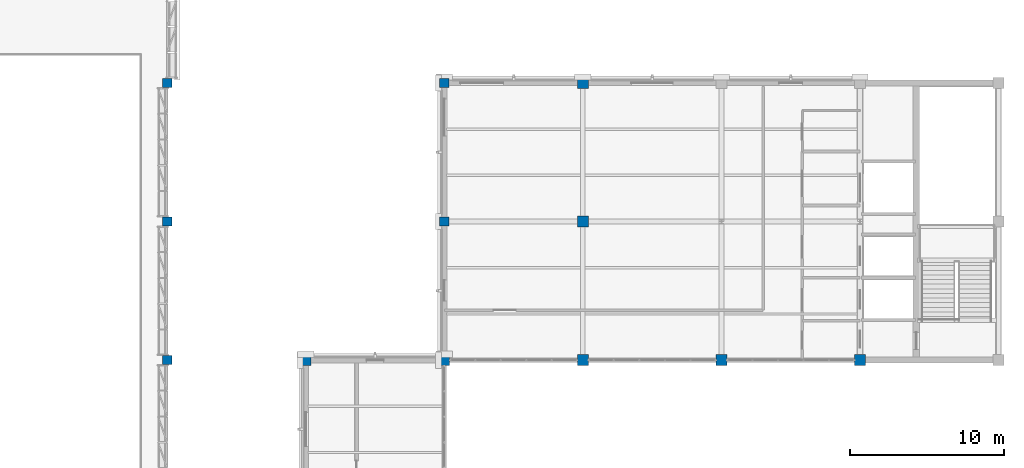
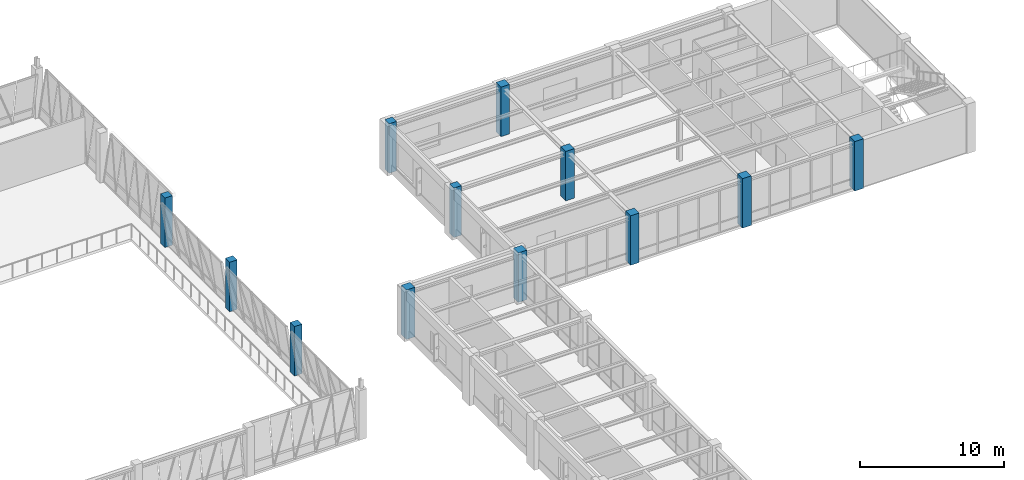
# One storey, part 10 of 108: 12 columns.
"""IFC4 building model written with IfcOpenShell, lengths in metres."""

import ifcopenshell
import ifcopenshell.guid

model = None  # the IFC model being written
_history = None  # IfcOwnerHistory: only IFC2X3 demands one
_inside = {}  # id of a spatial element -> (the spatial element, [elements in it])
_under = {}  # id of a project, library or spatial element -> (it, [spatial elements below it])
_declared = {}  # id of a project -> (the project, [libraries it declares])
_typed = {}  # id of a type object -> (the type object, [elements of that type])
_made_of = {}  # id of a material, layer set ... -> (it, [elements and type objects made of it])


def new_model(schema):
    """Start an empty IFC model of exactly this schema.

    Asked for "IFC4X3", IfcOpenShell would pick the latest addendum, in which some entities
    have other attributes; the version numbers below select the first issue.
    IFC2X3 requires an IfcOwnerHistory on every rooted entity: one is made here for all.
    """
    global model, _history
    if schema == "IFC4X3":
        model = ifcopenshell.file(schema_version=(4, 3, 0, 0))
    else:
        model = ifcopenshell.file(schema=schema)
    _inside.clear()
    _under.clear()
    _declared.clear()
    _typed.clear()
    _made_of.clear()
    _history = None
    if model.schema == "IFC2X3":
        org = make("IfcOrganization", Name="unknown")
        user = make(
            "IfcPersonAndOrganization",
            ThePerson=make("IfcPerson", FamilyName="unknown"),
            TheOrganization=org,
        )
        app = make(
            "IfcApplication",
            ApplicationDeveloper=org,
            Version="unknown",
            ApplicationFullName="unknown",
            ApplicationIdentifier="unknown",
        )
        _history = make(
            "IfcOwnerHistory",
            OwningUser=user,
            OwningApplication=app,
            ChangeAction="ADDED",
            CreationDate=0,
        )
    return model


def make(cls, **values):
    """One entity of the class cls with the attributes given. An attribute that is None is left unset."""
    return model.create_entity(
        cls, **{name: value for name, value in values.items() if value is not None}
    )


def rooted(cls, **values):
    """An entity with a GlobalId (a new one), such as an element, a storey or a relation."""
    return make(cls, GlobalId=ifcopenshell.guid.new(), OwnerHistory=_history, **values)


def si_unit(unit_type, name, prefix=None):
    """IfcSIUnit, for example si_unit("LENGTHUNIT", "METRE", prefix="MILLI")."""
    return make("IfcSIUnit", UnitType=unit_type, Prefix=prefix, Name=name)


def assignment(units):
    """IfcUnitAssignment: the units of a project."""
    return None if units is None else make("IfcUnitAssignment", Units=units)


def point(xyz):
    """IfcCartesianPoint."""
    return None if xyz is None else make("IfcCartesianPoint", Coordinates=xyz)


def direction(xyz):
    """IfcDirection."""
    return None if xyz is None else make("IfcDirection", DirectionRatios=xyz)


def frame(location, z_axis=None, x_axis=None):
    """IfcAxis2Placement3D, a coordinate frame: its origin and axes. An axis left out is left unset."""
    return make(
        "IfcAxis2Placement3D",
        Location=point(location),
        Axis=direction(z_axis),
        RefDirection=direction(x_axis),
    )


def frame_2d(location, x_axis=None):
    """IfcAxis2Placement2D, a coordinate frame in the plane: its origin and x axis."""
    return make(
        "IfcAxis2Placement2D", Location=point(location), RefDirection=direction(x_axis)
    )


def origin():
    """The frame at (0, 0, 0) with its axes left unset."""
    return frame((0.0, 0.0, 0.0))


def origin_2d():
    """The frame at (0, 0) in the plane with its x axis left unset."""
    return frame_2d((0.0, 0.0))


def place(relative_to, where):
    """IfcLocalPlacement: puts the frame where relative to a parent placement (None: the world)."""
    return make(
        "IfcLocalPlacement", PlacementRelTo=relative_to, RelativePlacement=where
    )


def context(
    kind, dimensions, precision=None, world=None, true_north=None, identifier=None
):
    """IfcGeometricRepresentationContext, for example the 3D "Model" context."""
    return make(
        "IfcGeometricRepresentationContext",
        ContextIdentifier=identifier,
        ContextType=kind,
        CoordinateSpaceDimension=dimensions,
        Precision=precision,
        WorldCoordinateSystem=world,
        TrueNorth=true_north,
    )


def subcontext(parent, identifier, kind, view, scale=None):
    """IfcGeometricRepresentationSubContext, for example "Body" below "Model"."""
    return make(
        "IfcGeometricRepresentationSubContext",
        ContextIdentifier=identifier,
        ContextType=kind,
        ParentContext=parent,
        TargetScale=scale,
        TargetView=view,
    )


def project(units=None, contexts=None):
    """IfcProject with its units and contexts."""
    return rooted(
        "IfcProject",
        Name="project",
        RepresentationContexts=contexts,
        UnitsInContext=assignment(units),
    )


def spatial(cls, under=None, at=None, **own):
    """A site, building, storey or space (cls), placed at a placement, below another one or the project."""
    s = rooted(cls, ObjectPlacement=at, **own)
    if under is not None:
        _under.setdefault(under.id(), (under, []))[1].append(s)
    return s


def profile(cls, at=None, kind="AREA", **sizes):
    """A parametric profile (cls). Its sizes go by their IFC names, for example OverallWidth=200.0."""
    return make(cls, ProfileType=kind, Position=at, **sizes)


def rectangle(**sizes):
    """IfcRectangleProfileDef."""
    return profile("IfcRectangleProfileDef", **sizes)


def extrude(swept, where, along, depth):
    """IfcExtrudedAreaSolid: the profile swept, set in the frame where, extruded along a direction by depth."""
    return make(
        "IfcExtrudedAreaSolid",
        SweptArea=swept,
        Position=where,
        ExtrudedDirection=direction(along),
        Depth=depth,
    )


def shape(context_of_items, identifier, shape_type, items):
    """IfcShapeRepresentation: the items that make up one representation, for example the "Body"."""
    return make(
        "IfcShapeRepresentation",
        ContextOfItems=context_of_items,
        RepresentationIdentifier=identifier,
        RepresentationType=shape_type,
        Items=items,
    )


def material(Name=None, Category=None):
    """IfcMaterial."""
    return make("IfcMaterial", Name=Name, Category=Category)


def material_profile(
    of_material, cross_section, Name=None, Category=None, Priority=None
):
    """IfcMaterialProfile: a cross section and its material."""
    return make(
        "IfcMaterialProfile",
        Name=Name,
        Material=of_material,
        Profile=cross_section,
        Priority=Priority,
        Category=Category,
    )


def profile_set(profiles, Name=None, composite=None):
    """IfcMaterialProfileSet."""
    return make(
        "IfcMaterialProfileSet",
        Name=Name,
        MaterialProfiles=profiles,
        CompositeProfile=composite,
    )


def made_of(thing, what):
    """Note that an element or type object is made of a material, layer set ...; save() writes the relation."""
    if what is not None:
        _made_of.setdefault(what.id(), (what, []))[1].append(thing)
    return thing


def type_object(cls, material=None, **own):
    """A type object (cls), such as IfcWallType, which elements share."""
    return made_of(rooted(cls, **own), material)


def element(
    cls,
    number,
    at=None,
    inside=None,
    cuts=None,
    type_object=None,
    material=None,
    context=None,
    identifier="Body",
    shape_type=None,
    held_by="IfcProductDefinitionShape",
    body=None,
    shapes=None,
    **own,
):
    """One element of the class cls, such as IfcWall. Its Tag is "e" and its number.

    at: its placement. inside: the storey or other place that contains it. cuts: it is an
    opening in that element (IfcRelVoidsElement). A single representation is given by context,
    identifier, shape_type and body (its items); several are given by shapes. held_by: the class
    of the entity that holds the representations. save() writes the other relations.
    """
    e = rooted(cls, Tag="e%d" % number, ObjectPlacement=at, **own)
    if body is not None:
        shapes = [shape(context, identifier, shape_type, body)]
    if shapes is not None:
        e.Representation = make(held_by, Representations=shapes)
    if inside is not None:
        _inside.setdefault(inside.id(), (inside, []))[1].append(e)
    if cuts is not None:
        rooted(
            "IfcRelVoidsElement", RelatingBuildingElement=cuts, RelatedOpeningElement=e
        )
    if type_object is not None:
        _typed.setdefault(type_object.id(), (type_object, []))[1].append(e)
    return made_of(e, material)


def aggregate(whole, parts):
    """IfcRelAggregates: a whole, such as a stair, and the parts it consists of."""
    return rooted("IfcRelAggregates", RelatingObject=whole, RelatedObjects=parts)


def save(model, path):
    """Write the relations noted so far, then the file.

    IfcRelAggregates (storeys below a building ...), IfcRelContainedInSpatialStructure (elements
    in a storey), IfcRelDefinesByType, IfcRelAssociatesMaterial and IfcRelDeclares: one each for
    every whole, place, type object, material and project.
    """
    for whole, parts in _under.values():
        aggregate(whole, parts)
    for where, things in _inside.values():
        rooted(
            "IfcRelContainedInSpatialStructure",
            RelatedElements=things,
            RelatingStructure=where,
        )
    for kind, things in _typed.values():
        rooted("IfcRelDefinesByType", RelatedObjects=things, RelatingType=kind)
    for what, things in _made_of.values():
        rooted("IfcRelAssociatesMaterial", RelatedObjects=things, RelatingMaterial=what)
    for by, libraries in _declared.values():
        rooted("IfcRelDeclares", RelatingContext=by, RelatedDefinitions=libraries)
    model.write(path)


model = new_model("IFC4")

# Units and contexts
model_context = context("Model", 3, precision=1e-05, world=origin(), true_north=direction((0.0, 1.0)))
body_context = subcontext(model_context, "Body", "Model", "MODEL_VIEW")
ifc_project = project(units=[si_unit("LENGTHUNIT", "METRE"), si_unit("AREAUNIT", "SQUARE_METRE"), si_unit("VOLUMEUNIT", "CUBIC_METRE"), si_unit("PLANEANGLEUNIT", "RADIAN"), si_unit("MASSUNIT", "GRAM", prefix="KILO")], contexts=[model_context])

# Site, building, storey
site_placement = place(None, origin())
site = spatial("IfcSite", under=ifc_project, at=site_placement, CompositionType="ELEMENT")
building_placement = place(site_placement, origin())
building = spatial("IfcBuilding", under=site, at=building_placement, Name="Lykobir Media Centre", CompositionType="ELEMENT")
storey_placement = place(building_placement, frame((0.0, 0.0, 15.0)))
storey = spatial("IfcBuildingStorey", under=building, at=storey_placement, Name="L03", CompositionType="ELEMENT", Elevation=15.0)

# Columns
ifc_material = material(Name="Concrete C40/50", Category="concrete")
ifc_material_profile_1 = material_profile(ifc_material, rectangle(XDim=0.60009765625, YDim=0.60009765625, at=origin_2d()), Name="RC 600x600")
ifc_profile_set_1 = profile_set([ifc_material_profile_1], Name="Concrete C40/50")
column_type_1 = type_object("IfcColumnType", Name="RC-C600", PredefinedType="COLUMN", material=ifc_profile_set_1)
for number, where, z_axis, x_axis, name in (
    (1, (99.0, 81.0, 0.0), (0.0, 0.0, 1.0), (1.0, 0.0, 0.0), "Column COL-L03-0990-0810"),
    (2, (99.0, 90.0, 0.0), (0.0, 0.0, 1.0), (1.0, 0.0, 0.0), "Column COL-L03-0990-0900"),
):
    element("IfcColumn", number, at=place(storey_placement, frame(where, z_axis=z_axis, x_axis=x_axis)), inside=storey, type_object=column_type_1, Name=name, PredefinedType="COLUMN", context=body_context, shape_type="SweptSolid", body=[
        extrude(rectangle(XDim=0.60009765625, YDim=0.60009765625, at=origin_2d()), origin(), (0.0, 0.0, 1.0), 4.199951171875),
    ])
ifc_material_profile_2 = material_profile(ifc_material, rectangle(XDim=0.60009765625, YDim=0.60009765625, at=origin_2d()), Name="RC 600x600")
ifc_profile_set_2 = profile_set([ifc_material_profile_2], Name="Concrete C40/50")
column_type_2 = type_object("IfcColumnType", Name="RC-C600-E", PredefinedType="COLUMN", material=ifc_profile_set_2)
for number, where, z_axis, x_axis, name in (
    (3, (81.0, 72.0, 0.0), (0.0, 0.0, 1.0), (1.0, 0.0, 0.0), "Column COL-L03-0810-0720"),
    (4, (81.0, 81.0, 0.0), (0.0, 0.0, 1.0), (1.0, 0.0, 0.0), "Column COL-L03-0810-0810"),
    (5, (81.0, 90.0, 0.0), (0.0, 0.0, 1.0), (1.0, 0.0, 0.0), "Column COL-L03-0810-0900"),
):
    element("IfcColumn", number, at=place(storey_placement, frame(where, z_axis=z_axis, x_axis=x_axis)), inside=storey, type_object=column_type_2, Name=name, PredefinedType="COLUMN", context=body_context, shape_type="SweptSolid", body=[
        extrude(rectangle(XDim=0.60009765625, YDim=0.60009765625, at=origin_2d()), origin(), (0.0, 0.0, 1.0), 4.199951171875),
    ])
ifc_material_profile_3 = material_profile(ifc_material, rectangle(XDim=0.699951171875, YDim=0.699951171875, at=origin_2d()), Name="RC 700x700")
ifc_profile_set_3 = profile_set([ifc_material_profile_3], Name="Concrete C40/50")
column_type_3 = type_object("IfcColumnType", Name="RC-C700", PredefinedType="COLUMN", material=ifc_profile_set_3)
for number, where, z_axis, x_axis, name in (
    (6, (99.0, 72.0, 0.0), (0.0, 0.0, 1.0), (1.0, 0.0, 0.0), "Column COL-L03-0990-0720"),
    (7, (108.0, 72.0, 0.0), (0.0, 0.0, 1.0), (1.0, 0.0, 0.0), "Column COL-L03-1080-0720"),
    (8, (108.0, 81.0, 0.0), (0.0, 0.0, 1.0), (1.0, 0.0, 0.0), "Column COL-L03-1080-0810"),
    (9, (108.0, 90.0, 0.0), (0.0, 0.0, 1.0), (1.0, 0.0, 0.0), "Column COL-L03-1080-0900"),
    (10, (117.0, 72.0, 0.0), (0.0, 0.0, 1.0), (1.0, 0.0, 0.0), "Column COL-L03-1170-0720"),
    (11, (126.0, 72.0, 0.0), (0.0, 0.0, 1.0), (1.0, 0.0, 0.0), "Column COL-L03-1260-0720"),
):
    element("IfcColumn", number, at=place(storey_placement, frame(where, z_axis=z_axis, x_axis=x_axis)), inside=storey, type_object=column_type_3, Name=name, PredefinedType="COLUMN", context=body_context, shape_type="SweptSolid", body=[
        extrude(rectangle(XDim=0.699951171875, YDim=0.699951171875, at=origin_2d()), origin(), (0.0, 0.0, 1.0), 4.199951171875),
    ])
ifc_material_profile_4 = material_profile(ifc_material, rectangle(XDim=0.699951171875, YDim=0.699951171875, at=origin_2d()), Name="RC 700x700")
ifc_profile_set_4 = profile_set([ifc_material_profile_4], Name="Concrete C40/50")
column_type_4 = type_object("IfcColumnType", Name="RC-C700-E", PredefinedType="COLUMN", material=ifc_profile_set_4)
column_placement = place(storey_placement, frame((90.0, 72.0, 0.0), z_axis=(0.0, 0.0, 1.0), x_axis=(1.0, 0.0, 0.0)))
element("IfcColumn", 12, at=column_placement, inside=storey, type_object=column_type_4, Name="Column COL-L03-0900-0720", PredefinedType="COLUMN", context=body_context, shape_type="SweptSolid", body=[
    extrude(rectangle(XDim=0.699951171875, YDim=0.699951171875, at=origin_2d()), origin(), (0.0, 0.0, 1.0), 4.199951171875),
])

save(model, "model.ifc")
